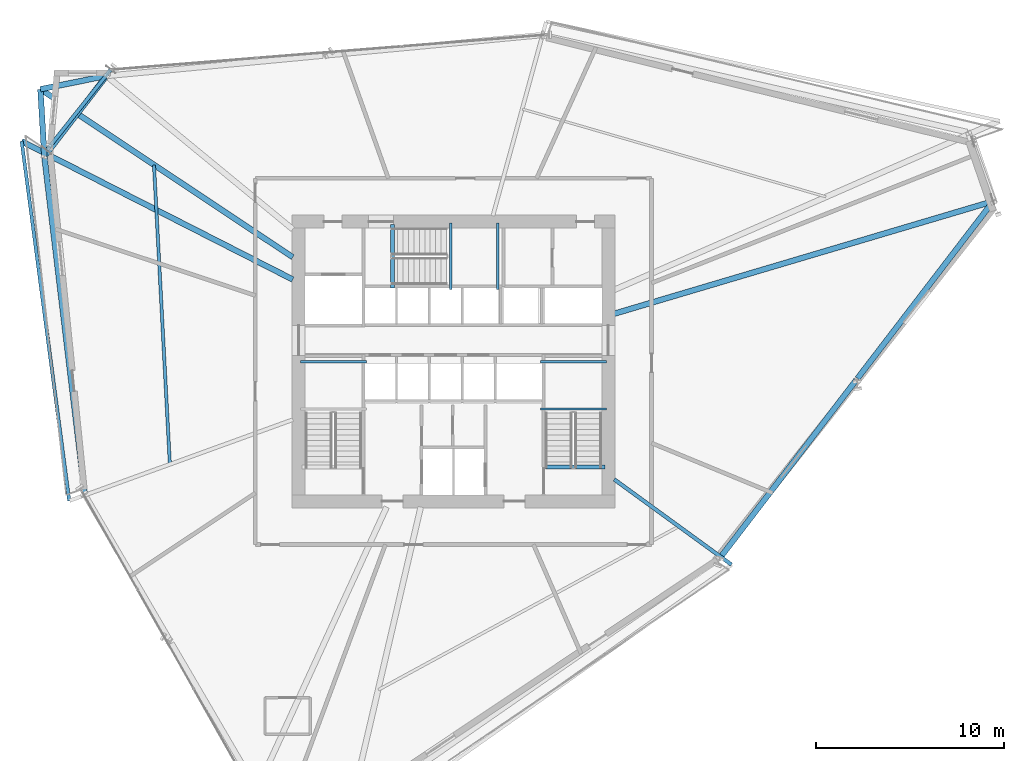
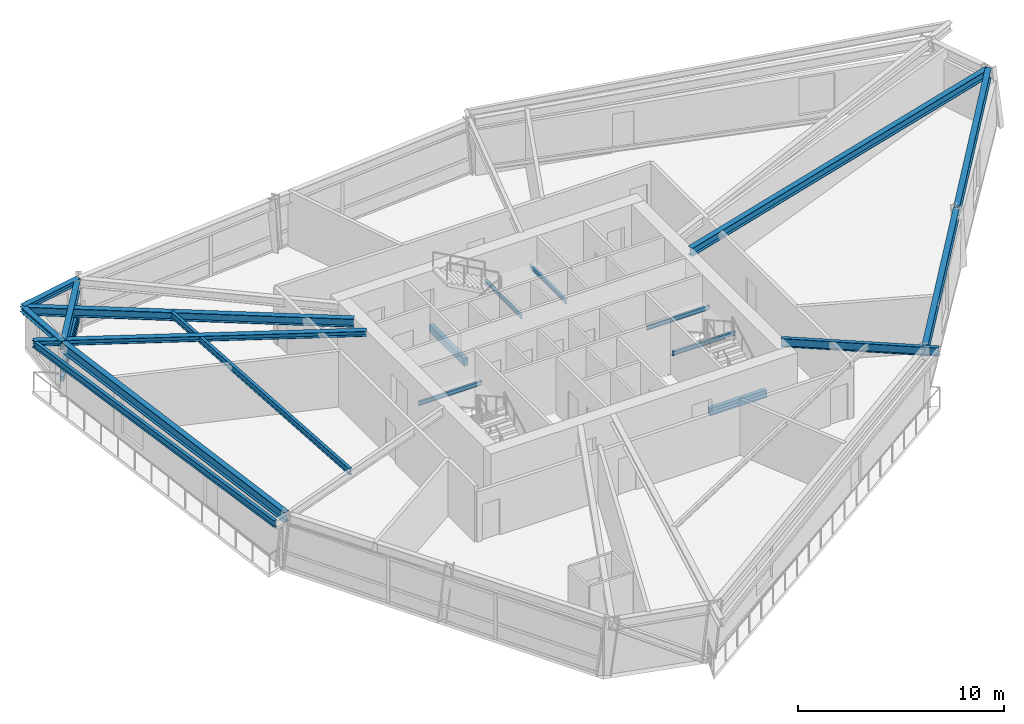
# One storey, part 5 of 18: 19 beams, 2 members.
"""IFC4 building model written with IfcOpenShell, lengths in metres."""

from ifc_helpers import new_model, si_unit, direction, frame, origin, origin_2d, place, context, subcontext, project, spatial, rectangle, hollow_rectangle, i_section, extrude, source, transform, mapped, material, material_profile, profile_set, type_object, element, save


model = new_model("IFC4")

# Units and contexts
model_context = context("Model", 3, precision=1e-05, world=origin(), true_north=direction((0.0, 1.0)))
body_context = subcontext(model_context, "Body", "Model", "MODEL_VIEW")
ifc_project = project(units=[si_unit("LENGTHUNIT", "METRE"), si_unit("AREAUNIT", "SQUARE_METRE"), si_unit("VOLUMEUNIT", "CUBIC_METRE"), si_unit("PLANEANGLEUNIT", "RADIAN"), si_unit("MASSUNIT", "GRAM", prefix="KILO")], contexts=[model_context])

# Site, building, storey
site_placement = place(None, origin())
site = spatial("IfcSite", under=ifc_project, at=site_placement, CompositionType="ELEMENT")
building_placement = place(site_placement, origin())
building = spatial("IfcBuilding", under=site, at=building_placement, Name="Olszyna Solenne Hotel", CompositionType="ELEMENT")
storey_placement = place(building_placement, frame((0.0, 0.0, 112.800048828125)))
storey = spatial("IfcBuildingStorey", under=building, at=storey_placement, Name="L29", CompositionType="ELEMENT", Elevation=112.800048828125)

# Beams
ifc_material_1 = material(Name="Steel S355J2", Category="steel")
ifc_material_profile_1 = material_profile(ifc_material_1, i_section(OverallWidth=0.300048828125, OverallDepth=0.60009765625, WebThickness=0.015380859375, FlangeThickness=0.030029296875, at=origin_2d()), Name="HEB 600", Category="load-bearing")
ifc_profile_set_1 = profile_set([ifc_material_profile_1], Name="Steel S355J2")
beam_type_1 = type_object("IfcBeamType", Name="BM-S2", PredefinedType="BEAM", material=ifc_profile_set_1)
shared_shape_1 = source(origin(), body_context, "Body", "SweptSolid", [
    extrude(i_section(OverallWidth=0.300048828125, OverallDepth=0.60009765625, WebThickness=0.015380859375, FlangeThickness=0.030029296875, at=origin_2d()), origin(), (0.0, 0.0, 1.0), 5.29052734375),
])
beam_1_placement = place(storey_placement, frame((19.478759765625, 41.756591796875, 3.0), z_axis=(-0.61011880415, -0.792309942398, 0.0), x_axis=(0.792309942398, -0.61011880415, 0.0)))
element("IfcBeam", 1, at=beam_1_placement, inside=storey, type_object=beam_type_1, Name="Perimeter spandrel beam BM-S2 B-L29-0872", PredefinedType="BEAM", context=body_context, shape_type="MappedRepresentation", body=[
    mapped(shared_shape_1, transform((0.0, 0.0, 0.0), x_axis=(1.0, 0.0, 0.0), y_axis=(0.0, 1.0, 0.0), z_axis=(0.0, 0.0, 1.0), scale=1.0)),
])
shared_shape_2 = source(origin(), body_context, "Body", "SweptSolid", [
    extrude(i_section(OverallWidth=0.300048828125, OverallDepth=0.60009765625, WebThickness=0.015380859375, FlangeThickness=0.030029296875, at=origin_2d()), origin(), (0.0, 0.0, 1.0), 18.041015625),
])
beam_2_placement = place(storey_placement, frame((16.221435546875, 37.4580078125, 3.0), z_axis=(0.118896551844, -0.992906647153, 0.0), x_axis=(0.992906647153, 0.118896551844, 0.0)))
element("IfcBeam", 2, at=beam_2_placement, inside=storey, type_object=beam_type_1, Name="Perimeter spandrel beam BM-S2 B-L29-0873", PredefinedType="BEAM", context=body_context, shape_type="MappedRepresentation", body=[
    mapped(shared_shape_2, transform((0.0, 0.0, 0.0), x_axis=(1.0, 0.0, 0.0), y_axis=(0.0, 1.0, 0.0), z_axis=(0.0, 0.0, 1.0), scale=1.0)),
])
shared_shape_3 = source(origin(), body_context, "Body", "SweptSolid", [
    extrude(i_section(OverallWidth=0.300048828125, OverallDepth=0.60009765625, WebThickness=0.015380859375, FlangeThickness=0.030029296875, at=origin_2d()), origin(), (0.0, 0.0, 1.0), 11.82373046875),
])
beam_3_placement = place(storey_placement, frame((52.2490234375, 16.216796875, 3.0), z_axis=(0.608256834987, 0.793740274077, 0.0), x_axis=(-0.793740274077, 0.608256834987, 0.0)))
element("IfcBeam", 3, at=beam_3_placement, inside=storey, type_object=beam_type_1, Name="Perimeter spandrel beam BM-S2 B-L29-0878", PredefinedType="BEAM", context=body_context, shape_type="MappedRepresentation", body=[
    mapped(shared_shape_3, transform((0.0, 0.0, 0.0), x_axis=(1.0, 0.0, 0.0), y_axis=(0.0, 1.0, 0.0), z_axis=(0.0, 0.0, 1.0), scale=1.0)),
])
shared_shape_4 = source(origin(), body_context, "Body", "SweptSolid", [
    extrude(i_section(OverallWidth=0.300048828125, OverallDepth=0.60009765625, WebThickness=0.015380859375, FlangeThickness=0.030029296875, at=origin_2d()), origin(), (0.0, 0.0, 1.0), 11.823486328125),
])
beam_4_placement = place(storey_placement, frame((59.513916015625, 25.697021484375, 3.0), z_axis=(0.608266804047, 0.793732634515, 0.0), x_axis=(-0.793732634515, 0.608266804047, 0.0)))
element("IfcBeam", 4, at=beam_4_placement, inside=storey, type_object=beam_type_1, Name="Perimeter spandrel beam BM-S2 B-L29-0879", PredefinedType="BEAM", context=body_context, shape_type="MappedRepresentation", body=[
    mapped(shared_shape_4, transform((0.0, 0.0, 0.0), x_axis=(1.0, 0.0, 0.0), y_axis=(0.0, 1.0, 0.0), z_axis=(0.0, 0.0, 1.0), scale=1.0)),
])
ifc_material_profile_2 = material_profile(ifc_material_1, i_section(OverallWidth=0.300048828125, OverallDepth=0.489990234375, WebThickness=0.011962890625, FlangeThickness=0.02294921875, at=origin_2d()), Name="HEA 500", Category="load-bearing")
ifc_profile_set_2 = profile_set([ifc_material_profile_2], Name="Steel S355J2")
beam_type_2 = type_object("IfcBeamType", Name="BM-G1", PredefinedType="BEAM", material=ifc_profile_set_2)
shared_shape_5 = source(origin(), body_context, "Body", "SweptSolid", [
    extrude(i_section(OverallWidth=0.300048828125, OverallDepth=0.489990234375, WebThickness=0.011962890625, FlangeThickness=0.02294921875, at=origin_2d()), origin(), (0.0, 0.0, 1.0), 21.00048828125),
])
beam_5_placement = place(storey_placement, frame((66.684814453125, 35.1123046875, 3.054931640625), z_axis=(-0.958680163192, -0.284486106343, 0.0), x_axis=(0.284486106343, -0.958680163192, 0.0)))
element("IfcBeam", 5, at=beam_5_placement, inside=storey, type_object=beam_type_2, Name="Radial floor girder BM-G1 B-L29-0880", PredefinedType="BEAM", context=body_context, shape_type="MappedRepresentation", body=[
    mapped(shared_shape_5, transform((0.0, 0.0, 0.0), x_axis=(1.0, 0.0, 0.0), y_axis=(0.0, 1.0, 0.0), z_axis=(0.0, 0.0, 1.0), scale=1.0)),
])
shared_shape_6 = source(origin(), body_context, "Body", "SweptSolid", [
    extrude(i_section(OverallWidth=0.300048828125, OverallDepth=0.489990234375, WebThickness=0.011962890625, FlangeThickness=0.02294921875, at=origin_2d()), origin(), (0.0, 0.0, 1.0), 16.122802734375),
])
beam_6_placement = place(storey_placement, frame((16.01953125, 41.08349609375, 3.054931640625), z_axis=(0.832511274333, -0.554008102927, 0.0), x_axis=(0.554008102927, 0.832511274333, 0.0)))
element("IfcBeam", 6, at=beam_6_placement, inside=storey, type_object=beam_type_2, Name="Radial floor girder BM-G1 B-L29-0884", PredefinedType="BEAM", context=body_context, shape_type="MappedRepresentation", body=[
    mapped(shared_shape_6, transform((0.0, 0.0, 0.0), x_axis=(1.0, 0.0, 0.0), y_axis=(0.0, 1.0, 0.0), z_axis=(0.0, 0.0, 1.0), scale=1.0)),
])
ifc_material_profile_3 = material_profile(ifc_material_1, i_section(OverallWidth=0.199951171875, OverallDepth=0.5, WebThickness=0.01025390625, FlangeThickness=0.01611328125, at=origin_2d()), Name="IPE 500", Category="load-bearing")
ifc_profile_set_3 = profile_set([ifc_material_profile_3], Name="Steel S355J2")
beam_type_3 = type_object("IfcBeamType", Name="BM-F3", PredefinedType="BEAM", material=ifc_profile_set_3)
shared_shape_7 = source(origin(), body_context, "Body", "SweptSolid", [
    extrude(i_section(OverallWidth=0.199951171875, OverallDepth=0.5, WebThickness=0.01025390625, FlangeThickness=0.01611328125, at=origin_2d()), origin(), (0.0, 0.0, 1.0), 7.717041015625),
])
beam_7_placement = place(storey_placement, frame((52.80078125, 15.77880859375, 3.050048828125), z_axis=(-0.808725139627, 0.588186746311, 0.0), x_axis=(-0.588186746311, -0.808725139627, 0.0)))
element("IfcBeam", 7, at=beam_7_placement, inside=storey, type_object=beam_type_3, Name="Radial floor girder BM-F3 B-L29-0888", PredefinedType="BEAM", context=body_context, shape_type="MappedRepresentation", body=[
    mapped(shared_shape_7, transform((0.0, 0.0, 0.0), x_axis=(1.0, 0.0, 0.0), y_axis=(0.0, 1.0, 0.0), z_axis=(0.0, 0.0, 1.0), scale=1.0)),
])
ifc_material_profile_4 = material_profile(ifc_material_1, i_section(OverallWidth=0.300048828125, OverallDepth=0.31005859375, WebThickness=0.009033203125, FlangeThickness=0.015380859375, at=origin_2d()), Name="HEA 320", Category="load-bearing")
ifc_profile_set_4 = profile_set([ifc_material_profile_4], Name="Steel S355J2")
beam_type_4 = type_object("IfcBeamType", Name="BM-G3", PredefinedType="BEAM", material=ifc_profile_set_4)
shared_shape_8 = source(origin(), body_context, "Body", "SweptSolid", [
    extrude(i_section(OverallWidth=0.300048828125, OverallDepth=0.31005859375, WebThickness=0.009033203125, FlangeThickness=0.015380859375, at=origin_2d()), origin(), (0.0, 0.0, 1.0), 3.58349609375),
])
beam_8_placement = place(storey_placement, frame((19.515380859375, 41.80419921875, 3.14501953125), z_axis=(-0.98019093966, -0.198054845457, 0.0), x_axis=(0.198054845457, -0.98019093966, 0.0)))
element("IfcBeam", 8, at=beam_8_placement, inside=storey, type_object=beam_type_4, Name="Prism side edge beam BM-G3 B-L29-0889", PredefinedType="BEAM", context=body_context, shape_type="MappedRepresentation", body=[
    mapped(shared_shape_8, transform((0.0, 0.0, 0.0), x_axis=(1.0, 0.0, 0.0), y_axis=(0.0, 1.0, 0.0), z_axis=(0.0, 0.0, 1.0), scale=1.0)),
])
shared_shape_9 = source(origin(), body_context, "Body", "SweptSolid", [
    extrude(i_section(OverallWidth=0.300048828125, OverallDepth=0.31005859375, WebThickness=0.009033203125, FlangeThickness=0.015380859375, at=origin_2d()), origin(), (0.0, 0.0, 1.0), 3.583251953125),
])
beam_9_placement = place(storey_placement, frame((16.21435546875, 37.517578125, 3.14501953125), z_axis=(-0.059005605494, 0.998257651371, 0.0), x_axis=(-0.998257651371, -0.059005605494, 0.0)))
element("IfcBeam", 9, at=beam_9_placement, inside=storey, type_object=beam_type_4, Name="Prism side edge beam BM-G3 B-L29-0890", PredefinedType="BEAM", context=body_context, shape_type="MappedRepresentation", body=[
    mapped(shared_shape_9, transform((0.0, 0.0, 0.0), x_axis=(1.0, 0.0, 0.0), y_axis=(0.0, 1.0, 0.0), z_axis=(0.0, 0.0, 1.0), scale=1.0)),
])
shared_shape_10 = source(origin(), body_context, "Body", "SweptSolid", [
    extrude(i_section(OverallWidth=0.300048828125, OverallDepth=0.31005859375, WebThickness=0.009033203125, FlangeThickness=0.015380859375, at=origin_2d()), origin(), (0.0, 0.0, 1.0), 16.206787109375),
])
beam_10_placement = place(storey_placement, frame((15.005615234375, 38.32177734375, 3.14501953125), z_axis=(0.890917261936, -0.454165644214, 0.0), x_axis=(0.454165644214, 0.890917261936, 0.0)))
element("IfcBeam", 10, at=beam_10_placement, inside=storey, type_object=beam_type_4, Name="Loggia/prism radial back-span girder BM-G3 B-L29-0891", PredefinedType="BEAM", context=body_context, shape_type="MappedRepresentation", body=[
    mapped(shared_shape_10, transform((0.0, 0.0, 0.0), x_axis=(1.0, 0.0, 0.0), y_axis=(0.0, 1.0, 0.0), z_axis=(0.0, 0.0, 1.0), scale=1.0)),
])
ifc_material_profile_5 = material_profile(ifc_material_1, i_section(OverallWidth=0.169921875, OverallDepth=0.360107421875, WebThickness=0.008056640625, FlangeThickness=0.0126953125, at=origin_2d()), Name="IPE 360", Category="load-bearing")
ifc_profile_set_5 = profile_set([ifc_material_profile_5], Name="Steel S355J2")
beam_type_5 = type_object("IfcBeamType", Name="JS-01", PredefinedType="JOIST", material=ifc_profile_set_5)
shared_shape_11 = source(origin(), body_context, "Body", "SweptSolid", [
    extrude(i_section(OverallWidth=0.169921875, OverallDepth=0.360107421875, WebThickness=0.008056640625, FlangeThickness=0.0126953125, at=origin_2d()), origin(), (0.0, 0.0, 1.0), 15.93017578125),
])
beam_11_placement = place(storey_placement, frame((22.051513671875, 37.050048828125, 3.119873046875), z_axis=(0.053011698795, -0.998593891325, 0.0), x_axis=(0.998593891325, 0.053011698795, 0.0)))
element("IfcBeam", 11, at=beam_11_placement, inside=storey, type_object=beam_type_5, Name="Secondary composite floor joist JS-01 B-L29-0893", PredefinedType="JOIST", context=body_context, shape_type="MappedRepresentation", body=[
    mapped(shared_shape_11, transform((0.0, 0.0, 0.0), x_axis=(1.0, 0.0, 0.0), y_axis=(0.0, 1.0, 0.0), z_axis=(0.0, 0.0, 1.0), scale=1.0)),
])
ifc_material_profile_6 = material_profile(ifc_material_1, i_section(OverallWidth=0.179931640625, OverallDepth=0.39990234375, WebThickness=0.008544921875, FlangeThickness=0.013427734375, at=origin_2d()), Name="IPE 400", Category="load-bearing")
ifc_profile_set_6 = profile_set([ifc_material_profile_6], Name="Steel S355J2")
beam_type_6 = type_object("IfcBeamType", Name="BM-F5", PredefinedType="BEAM", material=ifc_profile_set_6)
shared_shape_12 = source(origin(), body_context, "Body", "SweptSolid", [
    extrude(i_section(OverallWidth=0.179931640625, OverallDepth=0.39990234375, WebThickness=0.008544921875, FlangeThickness=0.013427734375, at=origin_2d()), origin(), (0.0, 0.0, 1.0), 19.31103515625),
])
beam_12_placement = place(storey_placement, frame((15.005615234375, 38.32177734375, 3.099853515625), z_axis=(0.131128504925, -0.99136537926, 0.0), x_axis=(0.99136537926, 0.131128504925, 0.0)))
element("IfcBeam", 12, at=beam_12_placement, inside=storey, type_object=beam_type_6, Name="Loggia outer edge beam BM-F5 B-L29-0896", PredefinedType="BEAM", context=body_context, shape_type="MappedRepresentation", body=[
    mapped(shared_shape_12, transform((0.0, 0.0, 0.0), x_axis=(1.0, 0.0, 0.0), y_axis=(0.0, 1.0, 0.0), z_axis=(0.0, 0.0, 1.0), scale=1.0)),
])

# Members
ifc_material_profile_7 = material_profile(ifc_material_1, hollow_rectangle(XDim=0.199951171875, YDim=0.300048828125, WallThickness=0.01611328125, at=origin_2d()), Name="RHS 300x200x16", Category="load-bearing")
ifc_profile_set_7 = profile_set([ifc_material_profile_7], Name="Steel S355J2")
member_type = type_object("IfcMemberType", Name="CH-PR1", PredefinedType="CHORD", material=ifc_profile_set_7)
shared_shape_13 = source(origin(), body_context, "Body", "SweptSolid", [
    extrude(hollow_rectangle(XDim=0.199951171875, YDim=0.300048828125, WallThickness=0.01611328125, at=origin_2d()), origin(), (0.0, 0.0, 1.0), 5.46337890625),
])
for number, where, z_axis, x_axis, name in (
    (13, (19.744873046875, 42.12939453125, 1.349853515625), (-0.622480023645, -0.78263568802, 0.0), (0.78263568802, -0.622480023645, 0.0), "Glass-prism tie chord CH-PR1 M-L29-PR1"),
    (14, (19.744873046875, 42.12939453125, 0.780029296875), (-0.622480023645, -0.78263568802, 0.0), (0.78263568802, -0.622480023645, 0.0), "Glass-prism tie chord CH-PR1 M-L29-PR2"),
):
    element("IfcMember", number, at=place(storey_placement, frame(where, z_axis=z_axis, x_axis=x_axis)), inside=storey, type_object=member_type, Name=name, PredefinedType="CHORD", context=body_context, shape_type="MappedRepresentation", body=[
        mapped(shared_shape_13, transform((0.0, 0.0, 0.0), x_axis=(1.0, 0.0, 0.0), y_axis=(0.0, 1.0, 0.0), z_axis=(0.0, 0.0, 1.0), scale=1.0)),
    ])

# Beams
ifc_material_profile_8 = material_profile(ifc_material_1, i_section(OverallWidth=0.1201171875, OverallDepth=0.239990234375, WebThickness=0.006103515625, FlangeThickness=0.009765625, at=origin_2d()), Name="IPE 240", Category="load-bearing")
ifc_profile_set_8 = profile_set([ifc_material_profile_8], Name="Steel S355J2")
beam_type_7 = type_object("IfcBeamType", Name="JS-03", PredefinedType="JOIST", material=ifc_profile_set_8)
shared_shape_14 = source(origin(), body_context, "Body", "SweptSolid", [
    extrude(i_section(OverallWidth=0.1201171875, OverallDepth=0.239990234375, WebThickness=0.006103515625, FlangeThickness=0.009765625, at=origin_2d()), origin(), (0.0, 0.0, 1.0), 3.539794921875),
])
for number, where, z_axis, x_axis, name in (
    (15, (33.3798828125, 26.580078125, 1.449951171875), (-1.0, 0.0, 0.0), (0.0, -1.0, 0.0), "Stair landing support beam JS-03 SLB-ST1-0064"),
    (16, (46.159912109375, 24.070068359375, 1.449951171875), (-1.0, 0.0, 0.0), (0.0, -1.0, 0.0), "Stair landing support beam JS-03 SLB-ST2-0303"),
    (17, (46.159912109375, 26.580078125, 1.449951171875), (-1.0, 0.0, 0.0), (0.0, -1.0, 0.0), "Stair landing support beam JS-03 SLB-ST2-0304"),
):
    element("IfcBeam", number, at=place(storey_placement, frame(where, z_axis=z_axis, x_axis=x_axis)), inside=storey, type_object=beam_type_7, Name=name, PredefinedType="JOIST", context=body_context, shape_type="MappedRepresentation", body=[
        mapped(shared_shape_14, transform((0.0, 0.0, 0.0), x_axis=(1.0, 0.0, 0.0), y_axis=(0.0, 1.0, 0.0), z_axis=(0.0, 0.0, 1.0), scale=1.0)),
    ])
ifc_material_2 = material(Name="Concrete C50/60", Category="concrete")
ifc_material_profile_9 = material_profile(ifc_material_2, rectangle(XDim=0.219970703125, YDim=0.43994140625, at=origin_2d()), Name="RC 220x440", Category="load-bearing")
ifc_profile_set_9 = profile_set([ifc_material_profile_9], Name="Concrete C50/60")
beam_type_8 = type_object("IfcBeamType", Name="BM-ST1", PredefinedType="BEAM", material=ifc_profile_set_9)
shared_shape_15 = source(origin(), body_context, "Body", "SweptSolid", [
    extrude(rectangle(XDim=0.219970703125, YDim=0.43994140625, at=origin_2d()), origin(), (0.0, 0.0, 1.0), 3.18017578125),
])
beam_13_placement = place(storey_placement, frame((46.080078125, 20.97998046875, -0.205078125), z_axis=(-1.0, 0.0, 0.0), x_axis=(0.0, -1.0, 0.0)))
element("IfcBeam", 18, at=beam_13_placement, inside=storey, type_object=beam_type_8, Name="Concrete stair trimmer beam BM-ST1 SHB-ST2-0431", PredefinedType="BEAM", context=body_context, shape_type="MappedRepresentation", body=[
    mapped(shared_shape_15, transform((0.0, 0.0, 0.0), x_axis=(1.0, 0.0, 0.0), y_axis=(0.0, 1.0, 0.0), z_axis=(0.0, 0.0, 1.0), scale=1.0)),
])
shared_shape_16 = source(origin(), body_context, "Body", "SweptSolid", [
    extrude(i_section(OverallWidth=0.1201171875, OverallDepth=0.239990234375, WebThickness=0.006103515625, FlangeThickness=0.009765625, at=origin_2d()), origin(), (0.0, 0.0, 1.0), 3.5400390625),
])
for number, where, z_axis, x_axis, name in (
    (19, (37.85009765625, 30.419921875, 1.449951171875), (0.0, 1.0, 0.0), (-1.0, 0.0, 0.0), "Stair landing support beam JS-03 SLB-ST3-0543"),
    (20, (40.360107421875, 30.419921875, 1.449951171875), (0.0, 1.0, 0.0), (-1.0, 0.0, 0.0), "Stair landing support beam JS-03 SLB-ST3-0544"),
):
    element("IfcBeam", number, at=place(storey_placement, frame(where, z_axis=z_axis, x_axis=x_axis)), inside=storey, type_object=beam_type_7, Name=name, PredefinedType="JOIST", context=body_context, shape_type="MappedRepresentation", body=[
        mapped(shared_shape_16, transform((0.0, 0.0, 0.0), x_axis=(1.0, 0.0, 0.0), y_axis=(0.0, 1.0, 0.0), z_axis=(0.0, 0.0, 1.0), scale=1.0)),
    ])
shared_shape_17 = source(origin(), body_context, "Body", "SweptSolid", [
    extrude(rectangle(XDim=0.219970703125, YDim=0.43994140625, at=origin_2d()), origin(), (0.0, 0.0, 1.0), 3.3798828125),
])
beam_14_placement = place(storey_placement, frame((34.760009765625, 30.5, -0.205078125), z_axis=(0.0, 1.0, 0.0), x_axis=(-1.0, 0.0, 0.0)))
element("IfcBeam", 21, at=beam_14_placement, inside=storey, type_object=beam_type_8, Name="Concrete stair trimmer beam BM-ST1 SHB-ST3-0669", PredefinedType="BEAM", context=body_context, shape_type="MappedRepresentation", body=[
    mapped(shared_shape_17, transform((0.0, 0.0, 0.0), x_axis=(1.0, 0.0, 0.0), y_axis=(0.0, 1.0, 0.0), z_axis=(0.0, 0.0, 1.0), scale=1.0)),
])

save(model, "model.ifc")
